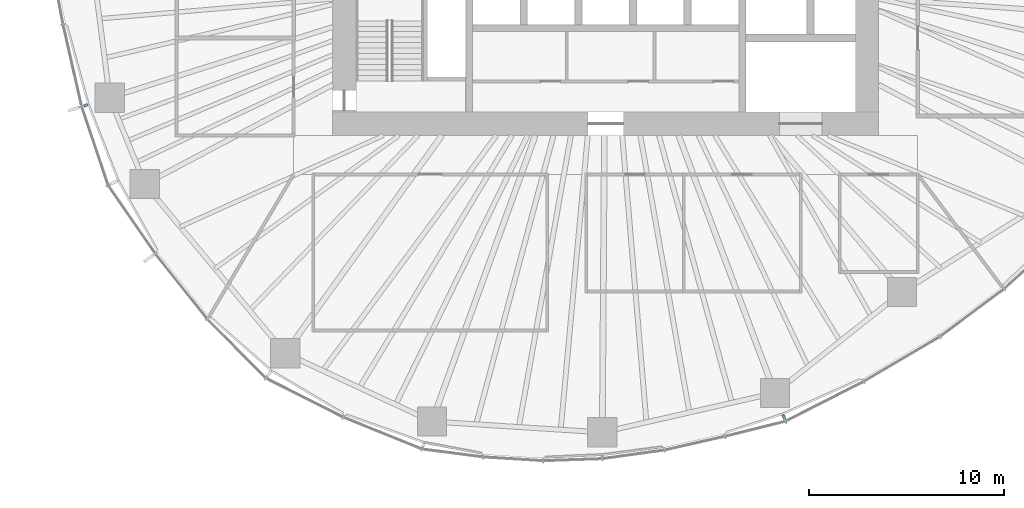
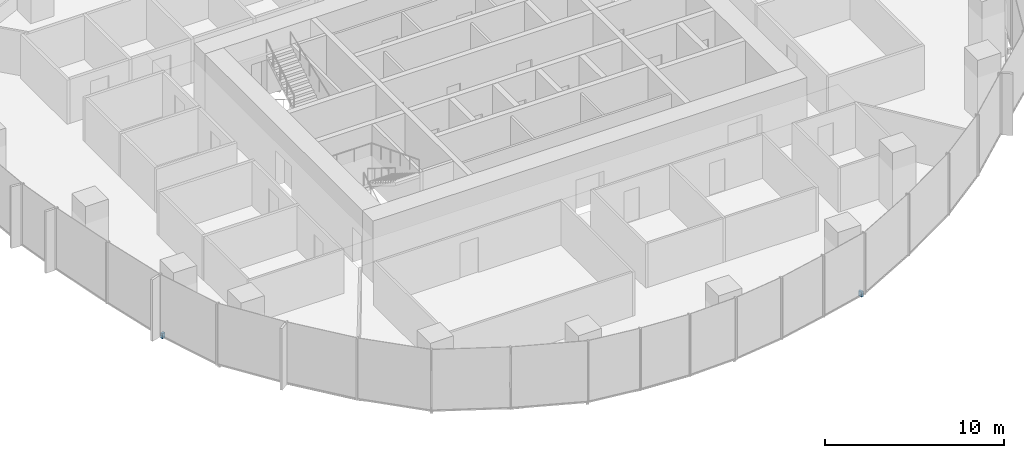
# One storey, part 13 of 18: 2 discrete accessories.
"""IFC4 building model written with IfcOpenShell, lengths in metres."""

from ifc_helpers import new_model, si_unit, direction, frame, origin, origin_2d, place, context, subcontext, project, spatial, rectangle, extrude, material, type_object, element, save


model = new_model("IFC4")

# Units and contexts
model_context = context("Model", 3, precision=1e-05, world=origin(), true_north=direction((0.0, 1.0)))
body_context = subcontext(model_context, "Body", "Model", "MODEL_VIEW")
ifc_project = project(units=[si_unit("LENGTHUNIT", "METRE"), si_unit("AREAUNIT", "SQUARE_METRE"), si_unit("VOLUMEUNIT", "CUBIC_METRE"), si_unit("PLANEANGLEUNIT", "RADIAN"), si_unit("MASSUNIT", "GRAM", prefix="KILO")], contexts=[model_context])

# Site, building, storey
site_placement = place(None, origin())
site = spatial("IfcSite", under=ifc_project, at=site_placement, CompositionType="ELEMENT")
building_placement = place(site_placement, origin())
building = spatial("IfcBuilding", under=site, at=building_placement, Name="Ghaith Harvest Tower", CompositionType="ELEMENT")
storey_placement = place(building_placement, frame((0.0, 0.0, 142.800048828125)))
storey = spatial("IfcBuildingStorey", under=building, at=storey_placement, Name="L30", CompositionType="ELEMENT", Elevation=142.800048828125)

# Discrete accessories
ifc_material_1 = material(Name="Stainless steel grade 1.4401", Category="steel")
discrete_accessory_type_1 = type_object("IfcDiscreteAccessoryType", Name="CURTAIN WALL BRACKET 205", PredefinedType="BRACKET", material=ifc_material_1)
discrete_accessory_1_placement = place(storey_placement, frame((-26.673095703125, -8.453125, -0.25), z_axis=(0.0, 0.0, 1.0), x_axis=(-0.953273219416, -0.302109531701, 0.0)))
element("IfcDiscreteAccessory", 1, at=discrete_accessory_1_placement, inside=storey, type_object=discrete_accessory_type_1, Name="CW-L bracket 1 bay 12 L30", PredefinedType="BRACKET", context=body_context, shape_type="SweptSolid", body=[
    extrude(rectangle(XDim=0.205078125, YDim=0.14990234375, at=origin_2d()), origin(), (0.0, 0.0, 1.0), 0.35009765625),
])
ifc_material_2 = material(Name="Stainless steel grade 1.4401", Category="steel")
discrete_accessory_type_2 = type_object("IfcDiscreteAccessoryType", Name="CURTAIN WALL BRACKET 245", PredefinedType="BRACKET", material=ifc_material_2)
discrete_accessory_2_placement = place(storey_placement, frame((9.135498046875, -24.436767578125, -0.25), z_axis=(0.0, 0.0, 1.0), x_axis=(0.35016769691, -0.93668702566, 0.0)))
element("IfcDiscreteAccessory", 2, at=discrete_accessory_2_placement, inside=storey, type_object=discrete_accessory_type_2, Name="CW-L bracket 1 bay 17 L30", PredefinedType="BRACKET", context=body_context, shape_type="SweptSolid", body=[
    extrude(rectangle(XDim=0.2451171875, YDim=0.14990234375, at=origin_2d()), origin(), (0.0, 0.0, 1.0), 0.35009765625),
])

save(model, "model.ifc")
